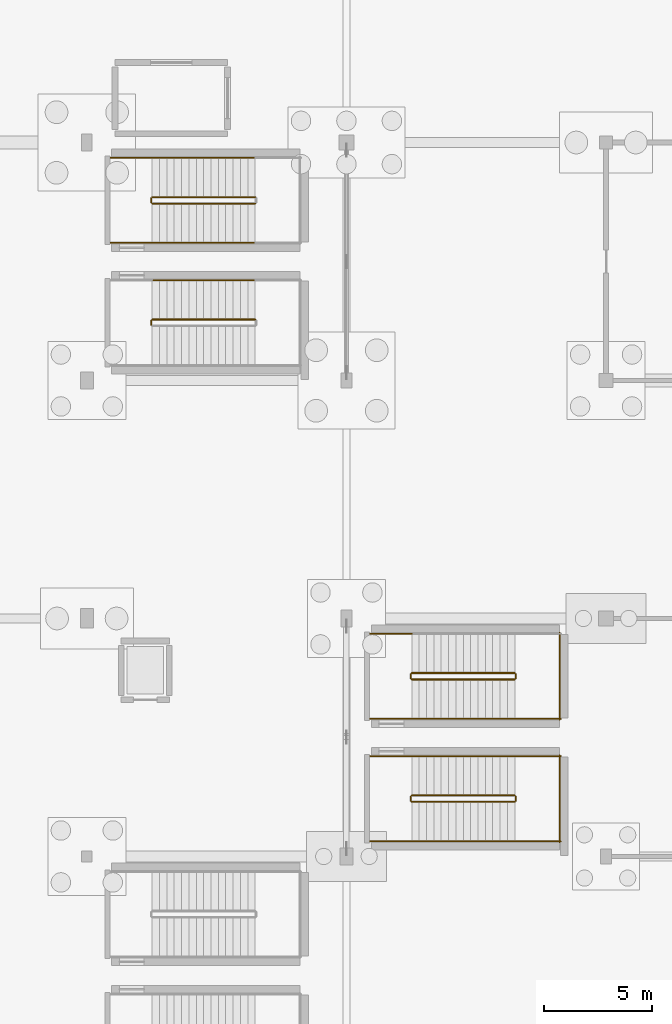
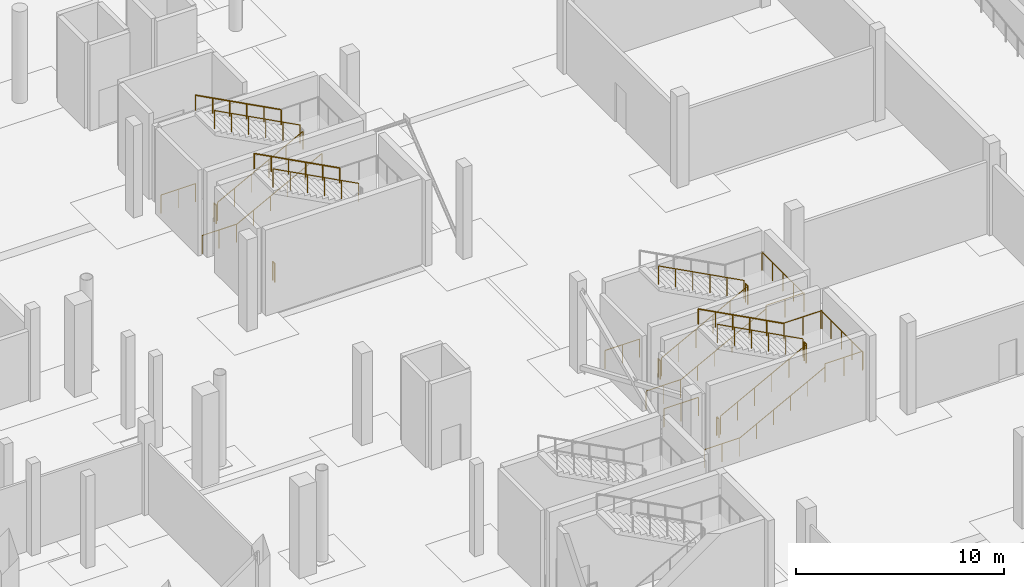
# One storey, part 56 of 60: 30 railings.
"""IFC4 building model written with IfcOpenShell, lengths in metres."""

from ifc_helpers import new_model, si_unit, direction, frame, origin, origin_2d, place, context, subcontext, project, spatial, circle, extrude, material, type_object, element, save


model = new_model("IFC4")

# Units and contexts
model_context = context("Model", 3, precision=1e-05, world=origin(), true_north=direction((0.0, 1.0)))
body_context = subcontext(model_context, "Body", "Model", "MODEL_VIEW")
ifc_project = project(units=[si_unit("LENGTHUNIT", "METRE"), si_unit("AREAUNIT", "SQUARE_METRE"), si_unit("VOLUMEUNIT", "CUBIC_METRE"), si_unit("PLANEANGLEUNIT", "RADIAN"), si_unit("MASSUNIT", "GRAM", prefix="KILO")], contexts=[model_context])

# Site, building, storey
site_placement = place(None, origin())
site = spatial("IfcSite", under=ifc_project, at=site_placement, CompositionType="ELEMENT")
building_placement = place(site_placement, origin())
building = spatial("IfcBuilding", under=site, at=building_placement, Name="Luwafu Chhajja Arena", CompositionType="ELEMENT")
storey_placement = place(building_placement, frame((0.0, 0.0, -5.39990234375)))
storey = spatial("IfcBuildingStorey", under=building, at=storey_placement, Name="B1", CompositionType="ELEMENT", Elevation=-5.39990234375)

# Railings
ifc_material_1 = material(Name="Stainless steel handrail", Category="steel")
railing_type_1 = type_object("IfcRailingType", Name="Stair Pitch Wall Handrail 920", PredefinedType="HANDRAIL", material=ifc_material_1)
railing_1_placement = place(storey_placement, frame((159.780029296875, 81.639892578125, 2.8798828125)))
element("IfcRailing", 1, at=railing_1_placement, inside=storey, type_object=railing_type_1, Name="B1 ST-07 stair handrail 2", PredefinedType="HANDRAIL", context=body_context, shape_type="SweptSolid", body=[
    extrude(circle(Radius=0.02392578125, at=origin_2d()), frame((0.0, 0.0, 0.8759765625), z_axis=(-0.883786813738, 0.0, 0.467889803119), x_axis=(0.0, -1.0, 0.0)), (0.0, 0.0, 1.0), 5.385986328125),
    extrude(circle(Radius=0.02099609375, at=origin_2d()), origin(), (0.0, 0.0, 1.0), 0.851806640625),
    extrude(circle(Radius=0.02099609375, at=origin_2d()), frame((-0.951904296875, 0.0, 0.50390625)), (0.0, 0.0, 1.0), 0.851806640625),
    extrude(circle(Radius=0.02099609375, at=origin_2d()), frame((-1.904052734375, 0.0, 1.008056640625)), (0.0, 0.0, 1.0), 0.851806640625),
    extrude(circle(Radius=0.02099609375, at=origin_2d()), frame((-2.85595703125, 0.0, 1.511962890625)), (0.0, 0.0, 1.0), 0.851806640625),
    extrude(circle(Radius=0.02099609375, at=origin_2d()), frame((-3.80810546875, 0.0, 2.01611328125)), (0.0, 0.0, 1.0), 0.851806640625),
    extrude(circle(Radius=0.02099609375, at=origin_2d()), frame((-4.760009765625, 0.0, 2.52001953125)), (0.0, 0.0, 1.0), 0.851806640625),
])
railing_2_placement = place(storey_placement, frame((155.02001953125, 83.360107421875, 0.179931640625)))
element("IfcRailing", 2, at=railing_2_placement, inside=storey, type_object=railing_type_1, Name="B1 ST-08 stair handrail 1", PredefinedType="HANDRAIL", context=body_context, shape_type="SweptSolid", body=[
    extrude(circle(Radius=0.02392578125, at=origin_2d()), frame((0.0, 0.0, 0.8759765625), z_axis=(0.883786813738, 0.0, 0.467889803119), x_axis=(0.0, 1.0, 0.0)), (0.0, 0.0, 1.0), 5.385986328125),
    extrude(circle(Radius=0.02099609375, at=origin_2d()), origin(), (0.0, 0.0, 1.0), 0.851806640625),
    extrude(circle(Radius=0.02099609375, at=origin_2d()), frame((0.951904296875, 0.0, 0.50390625)), (0.0, 0.0, 1.0), 0.851806640625),
    extrude(circle(Radius=0.02099609375, at=origin_2d()), frame((1.904052734375, 0.0, 1.008056640625)), (0.0, 0.0, 1.0), 0.851806640625),
    extrude(circle(Radius=0.02099609375, at=origin_2d()), frame((2.85595703125, 0.0, 1.511962890625)), (0.0, 0.0, 1.0), 0.851806640625),
    extrude(circle(Radius=0.02099609375, at=origin_2d()), frame((3.80810546875, 0.0, 2.01611328125)), (0.0, 0.0, 1.0), 0.851806640625),
    extrude(circle(Radius=0.02099609375, at=origin_2d()), frame((4.760009765625, 0.0, 2.52001953125)), (0.0, 0.0, 1.0), 0.851806640625),
])
railing_3_placement = place(storey_placement, frame((159.780029296875, 87.300048828125, 2.8798828125)))
element("IfcRailing", 3, at=railing_3_placement, inside=storey, type_object=railing_type_1, Name="B1 ST-08 stair handrail 2", PredefinedType="HANDRAIL", context=body_context, shape_type="SweptSolid", body=[
    extrude(circle(Radius=0.02392578125, at=origin_2d()), frame((0.0, 0.0, 0.8759765625), z_axis=(-0.883786813738, 0.0, 0.467889803119), x_axis=(0.0, -1.0, 0.0)), (0.0, 0.0, 1.0), 5.385986328125),
    extrude(circle(Radius=0.02099609375, at=origin_2d()), origin(), (0.0, 0.0, 1.0), 0.851806640625),
    extrude(circle(Radius=0.02099609375, at=origin_2d()), frame((-0.951904296875, 0.0, 0.50390625)), (0.0, 0.0, 1.0), 0.851806640625),
    extrude(circle(Radius=0.02099609375, at=origin_2d()), frame((-1.904052734375, 0.0, 1.008056640625)), (0.0, 0.0, 1.0), 0.851806640625),
    extrude(circle(Radius=0.02099609375, at=origin_2d()), frame((-2.85595703125, 0.0, 1.511962890625)), (0.0, 0.0, 1.0), 0.851806640625),
    extrude(circle(Radius=0.02099609375, at=origin_2d()), frame((-3.80810546875, 0.0, 2.01611328125)), (0.0, 0.0, 1.0), 0.851806640625),
    extrude(circle(Radius=0.02099609375, at=origin_2d()), frame((-4.760009765625, 0.0, 2.52001953125)), (0.0, 0.0, 1.0), 0.851806640625),
])
railing_4_placement = place(storey_placement, frame((167.02001953125, 55.699951171875, 0.179931640625)))
element("IfcRailing", 4, at=railing_4_placement, inside=storey, type_object=railing_type_1, Name="B1 ST-19 stair handrail 1", PredefinedType="HANDRAIL", context=body_context, shape_type="SweptSolid", body=[
    extrude(circle(Radius=0.02392578125, at=origin_2d()), frame((0.0, 0.0, 0.8759765625), z_axis=(0.883786813738, 0.0, 0.467889803119), x_axis=(0.0, 1.0, 0.0)), (0.0, 0.0, 1.0), 5.385986328125),
    extrude(circle(Radius=0.02099609375, at=origin_2d()), origin(), (0.0, 0.0, 1.0), 0.851806640625),
    extrude(circle(Radius=0.02099609375, at=origin_2d()), frame((0.951904296875, 0.0, 0.50390625)), (0.0, 0.0, 1.0), 0.851806640625),
    extrude(circle(Radius=0.02099609375, at=origin_2d()), frame((1.904052734375, 0.0, 1.008056640625)), (0.0, 0.0, 1.0), 0.851806640625),
    extrude(circle(Radius=0.02099609375, at=origin_2d()), frame((2.85595703125, 0.0, 1.511962890625)), (0.0, 0.0, 1.0), 0.851806640625),
    extrude(circle(Radius=0.02099609375, at=origin_2d()), frame((3.80810546875, 0.0, 2.01611328125)), (0.0, 0.0, 1.0), 0.851806640625),
    extrude(circle(Radius=0.02099609375, at=origin_2d()), frame((4.760009765625, 0.0, 2.52001953125)), (0.0, 0.0, 1.0), 0.851806640625),
])
railing_5_placement = place(storey_placement, frame((171.780029296875, 59.639892578125, 2.8798828125)))
element("IfcRailing", 5, at=railing_5_placement, inside=storey, type_object=railing_type_1, Name="B1 ST-19 stair handrail 2", PredefinedType="HANDRAIL", context=body_context, shape_type="SweptSolid", body=[
    extrude(circle(Radius=0.02392578125, at=origin_2d()), frame((0.0, 0.0, 0.8759765625), z_axis=(-0.883786813738, 0.0, 0.467889803119), x_axis=(0.0, -1.0, 0.0)), (0.0, 0.0, 1.0), 5.385986328125),
    extrude(circle(Radius=0.02099609375, at=origin_2d()), origin(), (0.0, 0.0, 1.0), 0.851806640625),
    extrude(circle(Radius=0.02099609375, at=origin_2d()), frame((-0.951904296875, 0.0, 0.50390625)), (0.0, 0.0, 1.0), 0.851806640625),
    extrude(circle(Radius=0.02099609375, at=origin_2d()), frame((-1.904052734375, 0.0, 1.008056640625)), (0.0, 0.0, 1.0), 0.851806640625),
    extrude(circle(Radius=0.02099609375, at=origin_2d()), frame((-2.85595703125, 0.0, 1.511962890625)), (0.0, 0.0, 1.0), 0.851806640625),
    extrude(circle(Radius=0.02099609375, at=origin_2d()), frame((-3.80810546875, 0.0, 2.01611328125)), (0.0, 0.0, 1.0), 0.851806640625),
    extrude(circle(Radius=0.02099609375, at=origin_2d()), frame((-4.760009765625, 0.0, 2.52001953125)), (0.0, 0.0, 1.0), 0.851806640625),
])
railing_6_placement = place(storey_placement, frame((167.02001953125, 61.360107421875, 0.179931640625)))
element("IfcRailing", 6, at=railing_6_placement, inside=storey, type_object=railing_type_1, Name="B1 ST-20 stair handrail 1", PredefinedType="HANDRAIL", context=body_context, shape_type="SweptSolid", body=[
    extrude(circle(Radius=0.02392578125, at=origin_2d()), frame((0.0, 0.0, 0.8759765625), z_axis=(0.883786813738, 0.0, 0.467889803119), x_axis=(0.0, 1.0, 0.0)), (0.0, 0.0, 1.0), 5.385986328125),
    extrude(circle(Radius=0.02099609375, at=origin_2d()), origin(), (0.0, 0.0, 1.0), 0.851806640625),
    extrude(circle(Radius=0.02099609375, at=origin_2d()), frame((0.951904296875, 0.0, 0.50390625)), (0.0, 0.0, 1.0), 0.851806640625),
    extrude(circle(Radius=0.02099609375, at=origin_2d()), frame((1.904052734375, 0.0, 1.008056640625)), (0.0, 0.0, 1.0), 0.851806640625),
    extrude(circle(Radius=0.02099609375, at=origin_2d()), frame((2.85595703125, 0.0, 1.511962890625)), (0.0, 0.0, 1.0), 0.851806640625),
    extrude(circle(Radius=0.02099609375, at=origin_2d()), frame((3.80810546875, 0.0, 2.01611328125)), (0.0, 0.0, 1.0), 0.851806640625),
    extrude(circle(Radius=0.02099609375, at=origin_2d()), frame((4.760009765625, 0.0, 2.52001953125)), (0.0, 0.0, 1.0), 0.851806640625),
])
ifc_material_2 = material(Name="Stainless steel balustrade", Category="steel")
railing_type_2 = type_object("IfcRailingType", Name="Stair and Terrace Guard Balustrade 1100", PredefinedType="BALUSTRADE", material=ifc_material_2)
railing_7_placement = place(storey_placement, frame((159.780029296875, 79.820068359375, 2.8798828125)))
element("IfcRailing", 7, at=railing_7_placement, inside=storey, type_object=railing_type_2, Name="B1 ST-07 stair guard 6", PredefinedType="BALUSTRADE", context=body_context, shape_type="SweptSolid", body=[
    extrude(circle(Radius=0.02392578125, at=origin_2d()), frame((0.0, 0.0, 1.076171875), z_axis=(-0.883786813738, 0.0, 0.467889803119), x_axis=(0.0, -1.0, 0.0)), (0.0, 0.0, 1.0), 5.385986328125),
    extrude(circle(Radius=0.02099609375, at=origin_2d()), origin(), (0.0, 0.0, 1.0), 1.052001953125),
    extrude(circle(Radius=0.02099609375, at=origin_2d()), frame((-0.951904296875, 0.0, 0.50390625)), (0.0, 0.0, 1.0), 1.052001953125),
    extrude(circle(Radius=0.02099609375, at=origin_2d()), frame((-1.904052734375, 0.0, 1.008056640625)), (0.0, 0.0, 1.0), 1.052001953125),
    extrude(circle(Radius=0.02099609375, at=origin_2d()), frame((-2.85595703125, 0.0, 1.511962890625)), (0.0, 0.0, 1.0), 1.052001953125),
    extrude(circle(Radius=0.02099609375, at=origin_2d()), frame((-3.80810546875, 0.0, 2.01611328125)), (0.0, 0.0, 1.0), 1.052001953125),
    extrude(circle(Radius=0.02099609375, at=origin_2d()), frame((-4.760009765625, 0.0, 2.52001953125)), (0.0, 0.0, 1.0), 1.052001953125),
])
railing_8_placement = place(storey_placement, frame((154.969970703125, 79.570068359375, 0.0)))
element("IfcRailing", 8, at=railing_8_placement, inside=storey, type_object=railing_type_2, Name="B1 ST-07 stair guard 7", PredefinedType="BALUSTRADE", context=body_context, shape_type="SweptSolid", body=[
    extrude(circle(Radius=0.02392578125, at=origin_2d()), frame((0.0, 0.0, 1.076171875), z_axis=(0.0, 1.0, 0.0), x_axis=(-1.0, 0.0, 0.0)), (0.0, 0.0, 1.0), 0.199951171875),
    extrude(circle(Radius=0.02099609375, at=origin_2d()), origin(), (0.0, 0.0, 1.0), 1.052001953125),
    extrude(circle(Radius=0.02099609375, at=origin_2d()), frame((0.0, 0.199951171875, 0.0)), (0.0, 0.0, 1.0), 1.052001953125),
])
railing_9_placement = place(storey_placement, frame((155.02001953125, 85.179931640625, 0.179931640625)))
element("IfcRailing", 9, at=railing_9_placement, inside=storey, type_object=railing_type_2, Name="B1 ST-08 stair guard 1", PredefinedType="BALUSTRADE", context=body_context, shape_type="SweptSolid", body=[
    extrude(circle(Radius=0.02392578125, at=origin_2d()), frame((0.0, 0.0, 1.076171875), z_axis=(0.883786813738, 0.0, 0.467889803119), x_axis=(0.0, 1.0, 0.0)), (0.0, 0.0, 1.0), 5.385986328125),
    extrude(circle(Radius=0.02099609375, at=origin_2d()), origin(), (0.0, 0.0, 1.0), 1.052001953125),
    extrude(circle(Radius=0.02099609375, at=origin_2d()), frame((0.951904296875, 0.0, 0.50390625)), (0.0, 0.0, 1.0), 1.052001953125),
    extrude(circle(Radius=0.02099609375, at=origin_2d()), frame((1.904052734375, 0.0, 1.008056640625)), (0.0, 0.0, 1.0), 1.052001953125),
    extrude(circle(Radius=0.02099609375, at=origin_2d()), frame((2.85595703125, 0.0, 1.511962890625)), (0.0, 0.0, 1.0), 1.052001953125),
    extrude(circle(Radius=0.02099609375, at=origin_2d()), frame((3.80810546875, 0.0, 2.01611328125)), (0.0, 0.0, 1.0), 1.052001953125),
    extrude(circle(Radius=0.02099609375, at=origin_2d()), frame((4.760009765625, 0.0, 2.52001953125)), (0.0, 0.0, 1.0), 1.052001953125),
])
railing_10_placement = place(storey_placement, frame((159.780029296875, 85.47998046875, 2.8798828125)))
element("IfcRailing", 10, at=railing_10_placement, inside=storey, type_object=railing_type_2, Name="B1 ST-08 stair guard 6", PredefinedType="BALUSTRADE", context=body_context, shape_type="SweptSolid", body=[
    extrude(circle(Radius=0.02392578125, at=origin_2d()), frame((0.0, 0.0, 1.076171875), z_axis=(-0.883786813738, 0.0, 0.467889803119), x_axis=(0.0, -1.0, 0.0)), (0.0, 0.0, 1.0), 5.385986328125),
    extrude(circle(Radius=0.02099609375, at=origin_2d()), origin(), (0.0, 0.0, 1.0), 1.052001953125),
    extrude(circle(Radius=0.02099609375, at=origin_2d()), frame((-0.951904296875, 0.0, 0.50390625)), (0.0, 0.0, 1.0), 1.052001953125),
    extrude(circle(Radius=0.02099609375, at=origin_2d()), frame((-1.904052734375, 0.0, 1.008056640625)), (0.0, 0.0, 1.0), 1.052001953125),
    extrude(circle(Radius=0.02099609375, at=origin_2d()), frame((-2.85595703125, 0.0, 1.511962890625)), (0.0, 0.0, 1.0), 1.052001953125),
    extrude(circle(Radius=0.02099609375, at=origin_2d()), frame((-3.80810546875, 0.0, 2.01611328125)), (0.0, 0.0, 1.0), 1.052001953125),
    extrude(circle(Radius=0.02099609375, at=origin_2d()), frame((-4.760009765625, 0.0, 2.52001953125)), (0.0, 0.0, 1.0), 1.052001953125),
])
railing_11_placement = place(storey_placement, frame((154.969970703125, 85.22998046875, 0.0)))
element("IfcRailing", 11, at=railing_11_placement, inside=storey, type_object=railing_type_2, Name="B1 ST-08 stair guard 7", PredefinedType="BALUSTRADE", context=body_context, shape_type="SweptSolid", body=[
    extrude(circle(Radius=0.02392578125, at=origin_2d()), frame((0.0, 0.0, 1.076171875), z_axis=(0.0, 1.0, 0.0), x_axis=(-1.0, 0.0, 0.0)), (0.0, 0.0, 1.0), 0.199951171875),
    extrude(circle(Radius=0.02099609375, at=origin_2d()), origin(), (0.0, 0.0, 1.0), 1.052001953125),
    extrude(circle(Radius=0.02099609375, at=origin_2d()), frame((0.0, 0.199951171875, 0.0)), (0.0, 0.0, 1.0), 1.052001953125),
])
for number, where, name in (
    (12, (153.10009765625, 83.360107421875, 0.0), "B1 ST-08 stair guard 8"),
    (13, (153.10009765625, 87.300048828125, 0.0), "B1 ST-08 stair guard 9"),
):
    element("IfcRailing", number, at=place(storey_placement, frame(where)), inside=storey, type_object=railing_type_2, Name=name, PredefinedType="BALUSTRADE", context=body_context, shape_type="SweptSolid", body=[
        extrude(circle(Radius=0.02392578125, at=origin_2d()), frame((0.0, 0.0, 1.076171875), z_axis=(1.0, 0.0, 0.0), x_axis=(0.0, 1.0, 0.0)), (0.0, 0.0, 1.0), 1.919921875),
        extrude(circle(Radius=0.02099609375, at=origin_2d()), origin(), (0.0, 0.0, 1.0), 1.052001953125),
        extrude(circle(Radius=0.02099609375, at=origin_2d()), frame((0.9599609375, 0.0, 0.0)), (0.0, 0.0, 1.0), 1.052001953125),
        extrude(circle(Radius=0.02099609375, at=origin_2d()), frame((1.919921875, 0.0, 0.0)), (0.0, 0.0, 1.0), 1.052001953125),
    ])
railing_12_placement = place(storey_placement, frame((167.02001953125, 57.52001953125, 0.179931640625)))
element("IfcRailing", 14, at=railing_12_placement, inside=storey, type_object=railing_type_2, Name="B1 ST-19 stair guard 1", PredefinedType="BALUSTRADE", context=body_context, shape_type="SweptSolid", body=[
    extrude(circle(Radius=0.02392578125, at=origin_2d()), frame((0.0, 0.0, 1.076171875), z_axis=(0.883786813738, 0.0, 0.467889803119), x_axis=(0.0, 1.0, 0.0)), (0.0, 0.0, 1.0), 5.385986328125),
    extrude(circle(Radius=0.02099609375, at=origin_2d()), origin(), (0.0, 0.0, 1.0), 1.052001953125),
    extrude(circle(Radius=0.02099609375, at=origin_2d()), frame((0.951904296875, 0.0, 0.50390625)), (0.0, 0.0, 1.0), 1.052001953125),
    extrude(circle(Radius=0.02099609375, at=origin_2d()), frame((1.904052734375, 0.0, 1.008056640625)), (0.0, 0.0, 1.0), 1.052001953125),
    extrude(circle(Radius=0.02099609375, at=origin_2d()), frame((2.85595703125, 0.0, 1.511962890625)), (0.0, 0.0, 1.0), 1.052001953125),
    extrude(circle(Radius=0.02099609375, at=origin_2d()), frame((3.80810546875, 0.0, 2.01611328125)), (0.0, 0.0, 1.0), 1.052001953125),
    extrude(circle(Radius=0.02099609375, at=origin_2d()), frame((4.760009765625, 0.0, 2.52001953125)), (0.0, 0.0, 1.0), 1.052001953125),
])
railing_13_placement = place(storey_placement, frame((171.830078125, 57.570068359375, 2.699951171875)))
element("IfcRailing", 15, at=railing_13_placement, inside=storey, type_object=railing_type_2, Name="B1 ST-19 stair guard 2", PredefinedType="BALUSTRADE", context=body_context, shape_type="SweptSolid", body=[
    extrude(circle(Radius=0.02392578125, at=origin_2d()), frame((0.0, 0.0, 1.076171875), z_axis=(0.0, 1.0, 0.0), x_axis=(-1.0, 0.0, 0.0)), (0.0, 0.0, 1.0), 0.199951171875),
    extrude(circle(Radius=0.02099609375, at=origin_2d()), origin(), (0.0, 0.0, 1.0), 1.052001953125),
    extrude(circle(Radius=0.02099609375, at=origin_2d()), frame((0.0, 0.199951171875, 0.0)), (0.0, 0.0, 1.0), 1.052001953125),
])
for number, where, name in (
    (16, (171.780029296875, 55.699951171875, 2.699951171875), "B1 ST-19 stair guard 3"),
    (17, (171.780029296875, 59.639892578125, 2.699951171875), "B1 ST-19 stair guard 4"),
):
    element("IfcRailing", number, at=place(storey_placement, frame(where)), inside=storey, type_object=railing_type_2, Name=name, PredefinedType="BALUSTRADE", context=body_context, shape_type="SweptSolid", body=[
        extrude(circle(Radius=0.02392578125, at=origin_2d()), frame((0.0, 0.0, 1.076171875), z_axis=(1.0, 0.0, 0.0), x_axis=(0.0, 1.0, 0.0)), (0.0, 0.0, 1.0), 2.119873046875),
        extrude(circle(Radius=0.02099609375, at=origin_2d()), origin(), (0.0, 0.0, 1.0), 1.052001953125),
        extrude(circle(Radius=0.02099609375, at=origin_2d()), frame((1.06005859375, 0.0, 0.0)), (0.0, 0.0, 1.0), 1.052001953125),
        extrude(circle(Radius=0.02099609375, at=origin_2d()), frame((2.119873046875, 0.0, 0.0)), (0.0, 0.0, 1.0), 1.052001953125),
    ])
railing_14_placement = place(storey_placement, frame((173.85009765625, 55.64990234375, 2.699951171875)))
element("IfcRailing", 18, at=railing_14_placement, inside=storey, type_object=railing_type_2, Name="B1 ST-19 stair guard 5", PredefinedType="BALUSTRADE", context=body_context, shape_type="SweptSolid", body=[
    extrude(circle(Radius=0.02392578125, at=origin_2d()), frame((0.0, 0.0, 1.076171875), z_axis=(0.0, 1.0, 0.0), x_axis=(-1.0, 0.0, 0.0)), (0.0, 0.0, 1.0), 4.0400390625),
    extrude(circle(Radius=0.02099609375, at=origin_2d()), origin(), (0.0, 0.0, 1.0), 1.052001953125),
    extrude(circle(Radius=0.02099609375, at=origin_2d()), frame((0.0, 1.010009765625, 0.0)), (0.0, 0.0, 1.0), 1.052001953125),
    extrude(circle(Radius=0.02099609375, at=origin_2d()), frame((0.0, 2.02001953125, 0.0)), (0.0, 0.0, 1.0), 1.052001953125),
    extrude(circle(Radius=0.02099609375, at=origin_2d()), frame((0.0, 3.030029296875, 0.0)), (0.0, 0.0, 1.0), 1.052001953125),
    extrude(circle(Radius=0.02099609375, at=origin_2d()), frame((0.0, 4.0400390625, 0.0)), (0.0, 0.0, 1.0), 1.052001953125),
])
railing_15_placement = place(storey_placement, frame((171.780029296875, 57.820068359375, 2.8798828125)))
element("IfcRailing", 19, at=railing_15_placement, inside=storey, type_object=railing_type_2, Name="B1 ST-19 stair guard 6", PredefinedType="BALUSTRADE", context=body_context, shape_type="SweptSolid", body=[
    extrude(circle(Radius=0.02392578125, at=origin_2d()), frame((0.0, 0.0, 1.076171875), z_axis=(-0.883786813738, 0.0, 0.467889803119), x_axis=(0.0, -1.0, 0.0)), (0.0, 0.0, 1.0), 5.385986328125),
    extrude(circle(Radius=0.02099609375, at=origin_2d()), origin(), (0.0, 0.0, 1.0), 1.052001953125),
    extrude(circle(Radius=0.02099609375, at=origin_2d()), frame((-0.951904296875, 0.0, 0.50390625)), (0.0, 0.0, 1.0), 1.052001953125),
    extrude(circle(Radius=0.02099609375, at=origin_2d()), frame((-1.904052734375, 0.0, 1.008056640625)), (0.0, 0.0, 1.0), 1.052001953125),
    extrude(circle(Radius=0.02099609375, at=origin_2d()), frame((-2.85595703125, 0.0, 1.511962890625)), (0.0, 0.0, 1.0), 1.052001953125),
    extrude(circle(Radius=0.02099609375, at=origin_2d()), frame((-3.80810546875, 0.0, 2.01611328125)), (0.0, 0.0, 1.0), 1.052001953125),
    extrude(circle(Radius=0.02099609375, at=origin_2d()), frame((-4.760009765625, 0.0, 2.52001953125)), (0.0, 0.0, 1.0), 1.052001953125),
])
railing_16_placement = place(storey_placement, frame((166.969970703125, 57.570068359375, 0.0)))
element("IfcRailing", 20, at=railing_16_placement, inside=storey, type_object=railing_type_2, Name="B1 ST-19 stair guard 7", PredefinedType="BALUSTRADE", context=body_context, shape_type="SweptSolid", body=[
    extrude(circle(Radius=0.02392578125, at=origin_2d()), frame((0.0, 0.0, 1.076171875), z_axis=(0.0, 1.0, 0.0), x_axis=(-1.0, 0.0, 0.0)), (0.0, 0.0, 1.0), 0.199951171875),
    extrude(circle(Radius=0.02099609375, at=origin_2d()), origin(), (0.0, 0.0, 1.0), 1.052001953125),
    extrude(circle(Radius=0.02099609375, at=origin_2d()), frame((0.0, 0.199951171875, 0.0)), (0.0, 0.0, 1.0), 1.052001953125),
])
for number, where, name in (
    (21, (165.10009765625, 55.699951171875, 0.0), "B1 ST-19 stair guard 8"),
    (22, (165.10009765625, 59.639892578125, 0.0), "B1 ST-19 stair guard 9"),
):
    element("IfcRailing", number, at=place(storey_placement, frame(where)), inside=storey, type_object=railing_type_2, Name=name, PredefinedType="BALUSTRADE", context=body_context, shape_type="SweptSolid", body=[
        extrude(circle(Radius=0.02392578125, at=origin_2d()), frame((0.0, 0.0, 1.076171875), z_axis=(1.0, 0.0, 0.0), x_axis=(0.0, 1.0, 0.0)), (0.0, 0.0, 1.0), 1.919921875),
        extrude(circle(Radius=0.02099609375, at=origin_2d()), origin(), (0.0, 0.0, 1.0), 1.052001953125),
        extrude(circle(Radius=0.02099609375, at=origin_2d()), frame((0.9599609375, 0.0, 0.0)), (0.0, 0.0, 1.0), 1.052001953125),
        extrude(circle(Radius=0.02099609375, at=origin_2d()), frame((1.919921875, 0.0, 0.0)), (0.0, 0.0, 1.0), 1.052001953125),
    ])
railing_17_placement = place(storey_placement, frame((167.02001953125, 63.179931640625, 0.179931640625)))
element("IfcRailing", 23, at=railing_17_placement, inside=storey, type_object=railing_type_2, Name="B1 ST-20 stair guard 1", PredefinedType="BALUSTRADE", context=body_context, shape_type="SweptSolid", body=[
    extrude(circle(Radius=0.02392578125, at=origin_2d()), frame((0.0, 0.0, 1.076171875), z_axis=(0.883786813738, 0.0, 0.467889803119), x_axis=(0.0, 1.0, 0.0)), (0.0, 0.0, 1.0), 5.385986328125),
    extrude(circle(Radius=0.02099609375, at=origin_2d()), origin(), (0.0, 0.0, 1.0), 1.052001953125),
    extrude(circle(Radius=0.02099609375, at=origin_2d()), frame((0.951904296875, 0.0, 0.50390625)), (0.0, 0.0, 1.0), 1.052001953125),
    extrude(circle(Radius=0.02099609375, at=origin_2d()), frame((1.904052734375, 0.0, 1.008056640625)), (0.0, 0.0, 1.0), 1.052001953125),
    extrude(circle(Radius=0.02099609375, at=origin_2d()), frame((2.85595703125, 0.0, 1.511962890625)), (0.0, 0.0, 1.0), 1.052001953125),
    extrude(circle(Radius=0.02099609375, at=origin_2d()), frame((3.80810546875, 0.0, 2.01611328125)), (0.0, 0.0, 1.0), 1.052001953125),
    extrude(circle(Radius=0.02099609375, at=origin_2d()), frame((4.760009765625, 0.0, 2.52001953125)), (0.0, 0.0, 1.0), 1.052001953125),
])
railing_18_placement = place(storey_placement, frame((171.830078125, 63.22998046875, 2.699951171875)))
element("IfcRailing", 24, at=railing_18_placement, inside=storey, type_object=railing_type_2, Name="B1 ST-20 stair guard 2", PredefinedType="BALUSTRADE", context=body_context, shape_type="SweptSolid", body=[
    extrude(circle(Radius=0.02392578125, at=origin_2d()), frame((0.0, 0.0, 1.076171875), z_axis=(0.0, 1.0, 0.0), x_axis=(-1.0, 0.0, 0.0)), (0.0, 0.0, 1.0), 0.199951171875),
    extrude(circle(Radius=0.02099609375, at=origin_2d()), origin(), (0.0, 0.0, 1.0), 1.052001953125),
    extrude(circle(Radius=0.02099609375, at=origin_2d()), frame((0.0, 0.199951171875, 0.0)), (0.0, 0.0, 1.0), 1.052001953125),
])
railing_19_placement = place(storey_placement, frame((171.780029296875, 61.360107421875, 2.699951171875)))
element("IfcRailing", 25, at=railing_19_placement, inside=storey, type_object=railing_type_2, Name="B1 ST-20 stair guard 3", PredefinedType="BALUSTRADE", context=body_context, shape_type="SweptSolid", body=[
    extrude(circle(Radius=0.02392578125, at=origin_2d()), frame((0.0, 0.0, 1.076171875), z_axis=(1.0, 0.0, 0.0), x_axis=(0.0, 1.0, 0.0)), (0.0, 0.0, 1.0), 2.119873046875),
    extrude(circle(Radius=0.02099609375, at=origin_2d()), origin(), (0.0, 0.0, 1.0), 1.052001953125),
    extrude(circle(Radius=0.02099609375, at=origin_2d()), frame((1.06005859375, 0.0, 0.0)), (0.0, 0.0, 1.0), 1.052001953125),
    extrude(circle(Radius=0.02099609375, at=origin_2d()), frame((2.119873046875, 0.0, 0.0)), (0.0, 0.0, 1.0), 1.052001953125),
])
railing_20_placement = place(storey_placement, frame((173.85009765625, 61.31005859375, 2.699951171875)))
element("IfcRailing", 26, at=railing_20_placement, inside=storey, type_object=railing_type_2, Name="B1 ST-20 stair guard 5", PredefinedType="BALUSTRADE", context=body_context, shape_type="SweptSolid", body=[
    extrude(circle(Radius=0.02392578125, at=origin_2d()), frame((0.0, 0.0, 1.076171875), z_axis=(0.0, 1.0, 0.0), x_axis=(-1.0, 0.0, 0.0)), (0.0, 0.0, 1.0), 4.0400390625),
    extrude(circle(Radius=0.02099609375, at=origin_2d()), origin(), (0.0, 0.0, 1.0), 1.052001953125),
    extrude(circle(Radius=0.02099609375, at=origin_2d()), frame((0.0, 1.010009765625, 0.0)), (0.0, 0.0, 1.0), 1.052001953125),
    extrude(circle(Radius=0.02099609375, at=origin_2d()), frame((0.0, 2.02001953125, 0.0)), (0.0, 0.0, 1.0), 1.052001953125),
    extrude(circle(Radius=0.02099609375, at=origin_2d()), frame((0.0, 3.030029296875, 0.0)), (0.0, 0.0, 1.0), 1.052001953125),
    extrude(circle(Radius=0.02099609375, at=origin_2d()), frame((0.0, 4.0400390625, 0.0)), (0.0, 0.0, 1.0), 1.052001953125),
])
railing_21_placement = place(storey_placement, frame((171.780029296875, 63.47998046875, 2.8798828125)))
element("IfcRailing", 27, at=railing_21_placement, inside=storey, type_object=railing_type_2, Name="B1 ST-20 stair guard 6", PredefinedType="BALUSTRADE", context=body_context, shape_type="SweptSolid", body=[
    extrude(circle(Radius=0.02392578125, at=origin_2d()), frame((0.0, 0.0, 1.076171875), z_axis=(-0.883786813738, 0.0, 0.467889803119), x_axis=(0.0, -1.0, 0.0)), (0.0, 0.0, 1.0), 5.385986328125),
    extrude(circle(Radius=0.02099609375, at=origin_2d()), origin(), (0.0, 0.0, 1.0), 1.052001953125),
    extrude(circle(Radius=0.02099609375, at=origin_2d()), frame((-0.951904296875, 0.0, 0.50390625)), (0.0, 0.0, 1.0), 1.052001953125),
    extrude(circle(Radius=0.02099609375, at=origin_2d()), frame((-1.904052734375, 0.0, 1.008056640625)), (0.0, 0.0, 1.0), 1.052001953125),
    extrude(circle(Radius=0.02099609375, at=origin_2d()), frame((-2.85595703125, 0.0, 1.511962890625)), (0.0, 0.0, 1.0), 1.052001953125),
    extrude(circle(Radius=0.02099609375, at=origin_2d()), frame((-3.80810546875, 0.0, 2.01611328125)), (0.0, 0.0, 1.0), 1.052001953125),
    extrude(circle(Radius=0.02099609375, at=origin_2d()), frame((-4.760009765625, 0.0, 2.52001953125)), (0.0, 0.0, 1.0), 1.052001953125),
])
railing_22_placement = place(storey_placement, frame((166.969970703125, 63.22998046875, 0.0)))
element("IfcRailing", 28, at=railing_22_placement, inside=storey, type_object=railing_type_2, Name="B1 ST-20 stair guard 7", PredefinedType="BALUSTRADE", context=body_context, shape_type="SweptSolid", body=[
    extrude(circle(Radius=0.02392578125, at=origin_2d()), frame((0.0, 0.0, 1.076171875), z_axis=(0.0, 1.0, 0.0), x_axis=(-1.0, 0.0, 0.0)), (0.0, 0.0, 1.0), 0.199951171875),
    extrude(circle(Radius=0.02099609375, at=origin_2d()), origin(), (0.0, 0.0, 1.0), 1.052001953125),
    extrude(circle(Radius=0.02099609375, at=origin_2d()), frame((0.0, 0.199951171875, 0.0)), (0.0, 0.0, 1.0), 1.052001953125),
])
for number, where, name in (
    (29, (165.10009765625, 61.360107421875, 0.0), "B1 ST-20 stair guard 8"),
    (30, (165.10009765625, 65.300048828125, 0.0), "B1 ST-20 stair guard 9"),
):
    element("IfcRailing", number, at=place(storey_placement, frame(where)), inside=storey, type_object=railing_type_2, Name=name, PredefinedType="BALUSTRADE", context=body_context, shape_type="SweptSolid", body=[
        extrude(circle(Radius=0.02392578125, at=origin_2d()), frame((0.0, 0.0, 1.076171875), z_axis=(1.0, 0.0, 0.0), x_axis=(0.0, 1.0, 0.0)), (0.0, 0.0, 1.0), 1.919921875),
        extrude(circle(Radius=0.02099609375, at=origin_2d()), origin(), (0.0, 0.0, 1.0), 1.052001953125),
        extrude(circle(Radius=0.02099609375, at=origin_2d()), frame((0.9599609375, 0.0, 0.0)), (0.0, 0.0, 1.0), 1.052001953125),
        extrude(circle(Radius=0.02099609375, at=origin_2d()), frame((1.919921875, 0.0, 0.0)), (0.0, 0.0, 1.0), 1.052001953125),
    ])

save(model, "model.ifc")
